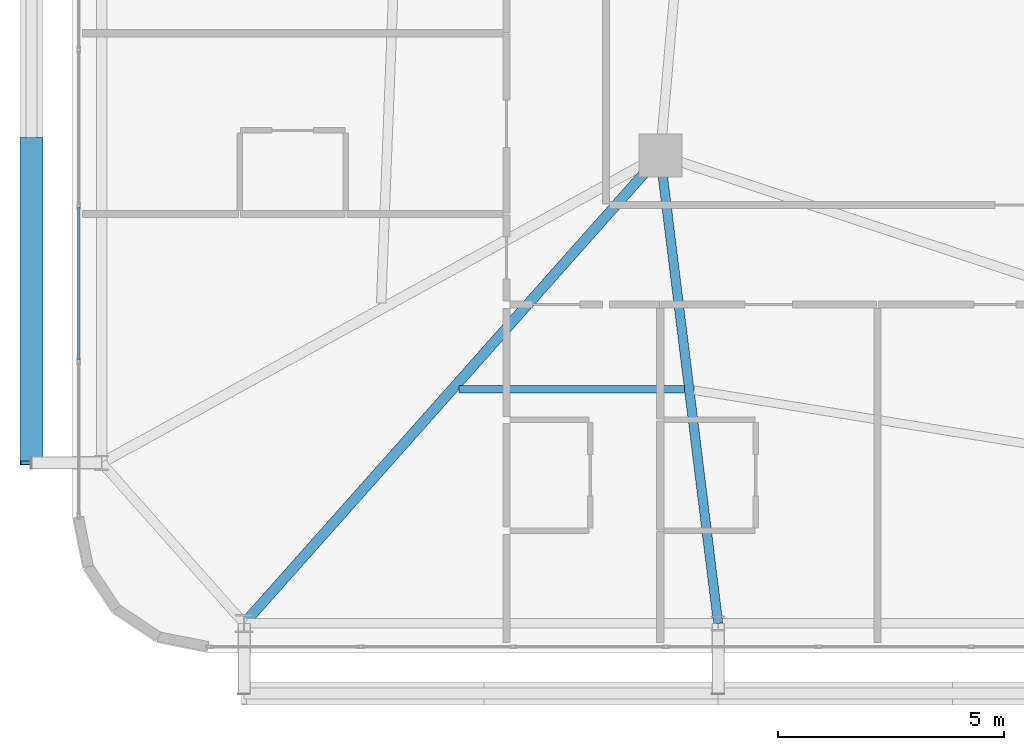
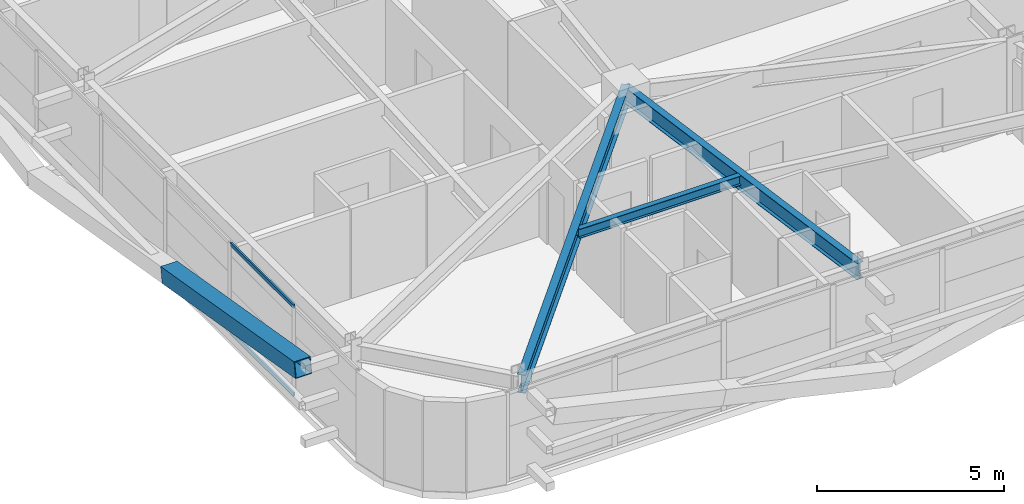
# One storey, part 7 of 59: 3 beams, 3 members, 1 element without a shape of its own.
"""IFC4 building model written with IfcOpenShell, lengths in metres."""

from ifc_helpers import new_model, si_unit, direction, frame, origin, origin_2d, place, context, subcontext, project, spatial, hollow_rectangle, i_section, extrude, source, transform, mapped, material, layer, layer_set, material_profile, profile_set, type_object, element, aggregate, save


model = new_model("IFC4")

# Units and contexts
model_context = context("Model", 3, precision=1e-05, world=origin(), true_north=direction((0.0, 1.0)))
body_context = subcontext(model_context, "Body", "Model", "MODEL_VIEW")
ifc_project = project(units=[si_unit("LENGTHUNIT", "METRE"), si_unit("AREAUNIT", "SQUARE_METRE"), si_unit("VOLUMEUNIT", "CUBIC_METRE"), si_unit("PLANEANGLEUNIT", "RADIAN"), si_unit("MASSUNIT", "GRAM", prefix="KILO")], contexts=[model_context])

# Site, building, storey
site_placement = place(None, origin())
site = spatial("IfcSite", under=ifc_project, at=site_placement, CompositionType="ELEMENT")
building_placement = place(site_placement, origin())
building = spatial("IfcBuilding", under=site, at=building_placement, Name="Taldren Reach Tower", CompositionType="ELEMENT")
storey_placement = place(building_placement, frame((0.0, 0.0, 19.949951171875)))
storey = spatial("IfcBuildingStorey", under=building, at=storey_placement, Name="L05", CompositionType="ELEMENT", Elevation=19.949951171875)

# Beams
ifc_material_1 = material(Name="Steel Gr 350 (350PLUS)", Category="steel")
ifc_material_profile_1 = material_profile(ifc_material_1, i_section(OverallWidth=0.22802734375, OverallDepth=0.60205078125, WebThickness=0.010498046875, FlangeThickness=0.014892578125, at=origin_2d()), Name="610UB101")
ifc_profile_set_1 = profile_set([ifc_material_profile_1], Name="Steel Gr 350 (350PLUS)")
beam_type_1 = type_object("IfcBeamType", Name="BM-UB610B", PredefinedType="BEAM", material=ifc_profile_set_1)
shared_shape_1 = source(origin(), body_context, "Body", "SweptSolid", [
    extrude(i_section(OverallWidth=0.22802734375, OverallDepth=0.60205078125, WebThickness=0.010498046875, FlangeThickness=0.014892578125, at=origin_2d()), origin(), (0.0, 0.0, 1.0), 13.847900390625),
])
beam_1_placement = place(storey_placement, frame((18.0, 12.5, 2.629150390625), z_axis=(-0.664358367375, -0.747414182164, 0.0), x_axis=(0.747414182164, -0.664358367375, 0.0)))
element("IfcBeam", 1, at=beam_1_placement, inside=storey, type_object=beam_type_1, Name="Primary floor girder B1-S1 L05", PredefinedType="BEAM", context=body_context, shape_type="MappedRepresentation", body=[
    mapped(shared_shape_1, transform((0.0, 0.0, 0.0), scale=1.0)),
])
ifc_material_profile_2 = material_profile(ifc_material_1, i_section(OverallWidth=0.208984375, OverallDepth=0.532958984375, WebThickness=0.01025390625, FlangeThickness=0.015625, at=origin_2d()), Name="530UB92.4")
ifc_profile_set_2 = profile_set([ifc_material_profile_2], Name="Steel Gr 350 (350PLUS)")
beam_type_2 = type_object("IfcBeamType", Name="BM-UB530A", PredefinedType="BEAM", material=ifc_profile_set_2)
shared_shape_2 = source(origin(), body_context, "Body", "SweptSolid", [
    extrude(i_section(OverallWidth=0.208984375, OverallDepth=0.532958984375, WebThickness=0.01025390625, FlangeThickness=0.015625, at=origin_2d()), origin(), (0.0, 0.0, 1.0), 10.428955078125),
])
beam_2_placement = place(storey_placement, frame((18.0, 12.5, 2.66357421875), z_axis=(0.122738080664, -0.992439098159, 0.0), x_axis=(0.992439098159, 0.122738080664, 0.0)))
element("IfcBeam", 2, at=beam_2_placement, inside=storey, type_object=beam_type_2, Name="Primary floor girder B1-S2 L05", PredefinedType="BEAM", context=body_context, shape_type="MappedRepresentation", body=[
    mapped(shared_shape_2, transform((0.0, 0.0, 0.0), scale=1.0)),
])
ifc_material_2 = material(Name="Steel Gr 300 (300PLUS, 300 MPa)", Category="steel")
ifc_material_profile_3 = material_profile(ifc_material_2, i_section(OverallWidth=0.166015625, OverallDepth=0.306884765625, WebThickness=0.006591796875, FlangeThickness=0.01171875, at=origin_2d()), Name="310UB46.2")
ifc_profile_set_3 = profile_set([ifc_material_profile_3], Name="Steel Gr 300 (300PLUS, 300 MPa)")
beam_type_3 = type_object("IfcBeamType", Name="JS-UB310", PredefinedType="JOIST", material=ifc_profile_set_3)
shared_shape_3 = source(origin(), body_context, "Body", "SweptSolid", [
    extrude(i_section(OverallWidth=0.166015625, OverallDepth=0.306884765625, WebThickness=0.006591796875, FlangeThickness=0.01171875, at=origin_2d()), origin(), (0.0, 0.0, 1.0), 4.982177734375),
])
beam_3_placement = place(storey_placement, frame((13.552490234375, 7.324951171875, 2.776611328125), z_axis=(1.0, 0.0, 0.0), x_axis=(0.0, 1.0, 0.0)))
element("IfcBeam", 3, at=beam_3_placement, inside=storey, type_object=beam_type_3, Name="Secondary floor joist B1 J1 L05", PredefinedType="JOIST", context=body_context, shape_type="MappedRepresentation", body=[
    mapped(shared_shape_3, transform((0.0, 0.0, 0.0), scale=1.0)),
])

# Member
ifc_material_3 = material(Name="Steel Gr 450 (C450L0)", Category="steel")
ifc_material_profile_4 = material_profile(ifc_material_3, hollow_rectangle(XDim=0.510009765625, YDim=0.510009765625, WallThickness=0.02001953125, at=origin_2d()), Name="510x510x20.0SHS")
ifc_profile_set_4 = profile_set([ifc_material_profile_4], Name="Steel Gr 450 (C450L0)")
member_type_1 = type_object("IfcMemberType", Name="MB-EXO508", PredefinedType="BRACE", material=ifc_profile_set_4)
shared_shape_4 = source(origin(), body_context, "Body", "SweptSolid", [
    extrude(hollow_rectangle(XDim=0.510009765625, YDim=0.510009765625, WallThickness=0.02001953125, at=origin_2d()), origin(), (0.0, 0.0, 1.0), 7.252685546875),
])
member_1_placement = place(storey_placement, frame((4.10009765625, 12.85009765625, 1.43505859375), z_axis=(0.0, -0.985865800628, 0.167536930711), x_axis=(1.0, 0.0, 0.0)))
element("IfcMember", 4, at=member_1_placement, inside=storey, type_object=member_type_1, Name="Exoskeleton Diagrid Brace B1-W1 L05", PredefinedType="BRACE", context=body_context, shape_type="MappedRepresentation", body=[
    mapped(shared_shape_4, transform((0.0, 0.0, 0.0), scale=1.0)),
])

# Curtain wall, members
ifc_material_4 = material(Name="Aluminium and Low-E Glass Unitised System", Category="aluminium")
ifc_layer = layer(ifc_material_4, 0.159912109375)
ifc_layer_set = layer_set([ifc_layer], Name="Aluminium and Low-E Glass Unitised System")
curtain_wall_type = type_object("IfcCurtainWallType", Name="CW-SYS-2", PredefinedType="NOTDEFINED", material=ifc_layer_set)
curtain_wall_placement = place(storey_placement, origin())
curtain_wall = element("IfcCurtainWall", 5, at=curtain_wall_placement, inside=storey, type_object=curtain_wall_type, Name="Unitised curtain wall CW-L05-W", PredefinedType="NOTDEFINED")
ifc_material_5 = material(Name="Anodised Aluminium 6063-T6", Category="aluminium")
ifc_material_profile_5 = material_profile(ifc_material_5, hollow_rectangle(XDim=0.054931640625, YDim=0.1201171875, WallThickness=0.0029296875, at=origin_2d()), Name="ALU-120x55x3RHS")
ifc_profile_set_5 = profile_set([ifc_material_profile_5], Name="Anodised Aluminium 6063-T6")
member_type_2 = type_object("IfcMemberType", Name="CW-TRN-135", PredefinedType="USERDEFINED", material=ifc_profile_set_5)
shared_shape_5 = source(origin(), body_context, "Body", "SweptSolid", [
    extrude(hollow_rectangle(XDim=0.054931640625, YDim=0.1201171875, WallThickness=0.0029296875, at=origin_2d()), origin(), (0.0, 0.0, 1.0), 3.37939453125),
])
member_2_placement = place(storey_placement, frame((5.139892578125, 11.3564453125, 0.027587890625), z_axis=(0.0, -1.0, 0.0), x_axis=(1.0, 0.0, 0.0)))
member_2 = element("IfcMember", 6, at=member_2_placement, type_object=member_type_2, Name="CW-2 transom 8.1", ObjectType="TRANSOM", PredefinedType="USERDEFINED", context=body_context, shape_type="MappedRepresentation", body=[
    mapped(shared_shape_5, transform((0.0, 0.0, 0.0), scale=1.0)),
])
member_3_placement = place(storey_placement, frame((5.139892578125, 11.3564453125, 2.902587890625), z_axis=(0.0, -1.0, 0.0), x_axis=(1.0, 0.0, 0.0)))
member_3 = element("IfcMember", 7, at=member_3_placement, type_object=member_type_2, Name="CW-2 transom 8.2", ObjectType="TRANSOM", PredefinedType="USERDEFINED", context=body_context, shape_type="MappedRepresentation", body=[
    mapped(shared_shape_5, transform((0.0, 0.0, 0.0), scale=1.0)),
])
aggregate(curtain_wall, [member_2, member_3])

save(model, "model.ifc")
